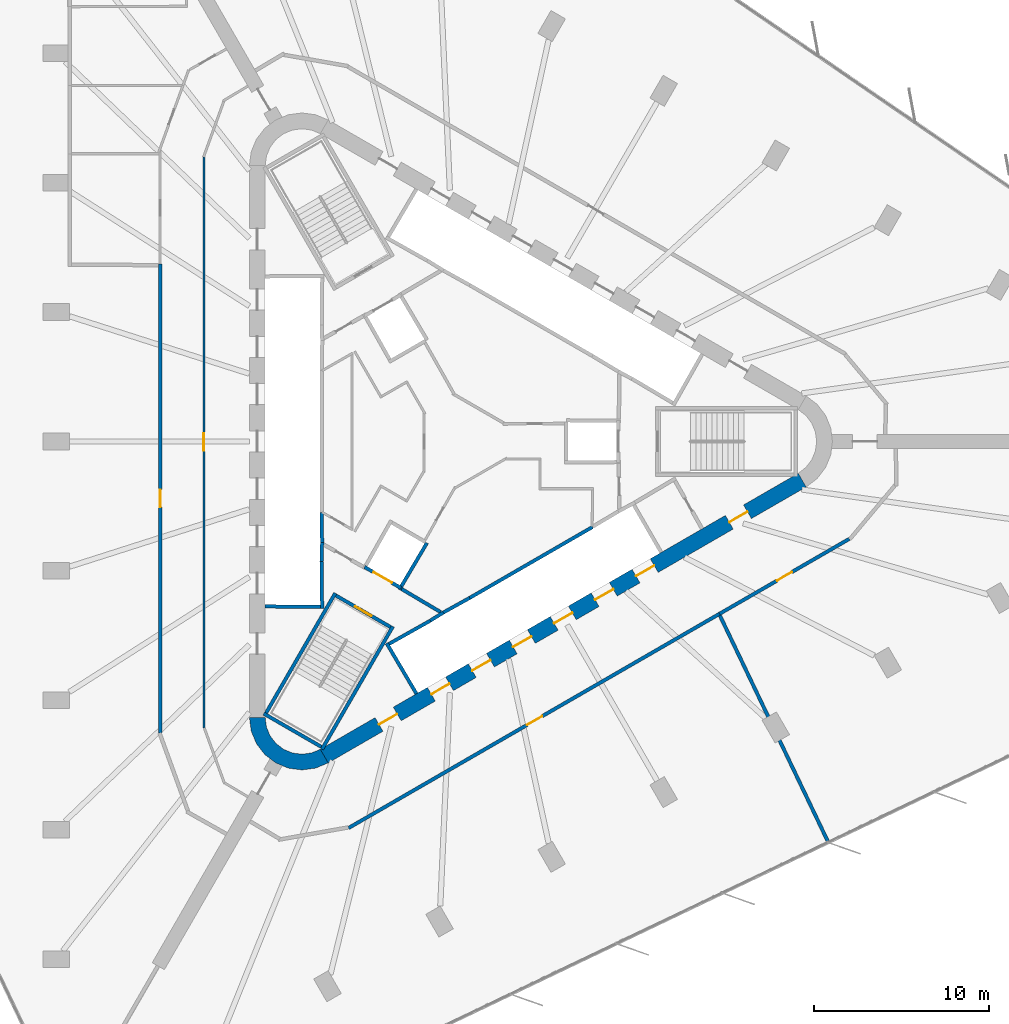
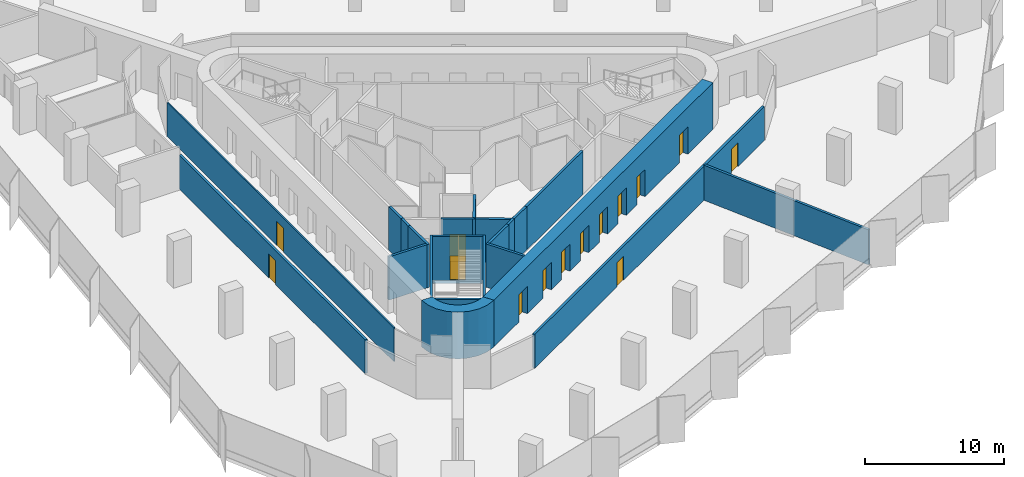
# One storey, part 9 of 14: 23 walls, 14 doors, 14 openings.
"""IFC4 building model written with IfcOpenShell, lengths in metres."""

from ifc_helpers import new_model, si_unit, direction, frame, frame_2d, origin, place, context, subcontext, project, spatial, polyline, rectangle, outline, extrude, material, layer, layer_set, type_object, element, fill, save


model = new_model("IFC4")

# Units and contexts
model_context = context("Model", 3, precision=1e-05, world=origin(), true_north=direction((0.0, 1.0)))
body_context = subcontext(model_context, "Body", "Model", "MODEL_VIEW")
ifc_project = project(units=[si_unit("LENGTHUNIT", "METRE"), si_unit("AREAUNIT", "SQUARE_METRE"), si_unit("VOLUMEUNIT", "CUBIC_METRE"), si_unit("PLANEANGLEUNIT", "RADIAN"), si_unit("MASSUNIT", "GRAM", prefix="KILO")], contexts=[model_context])

# Site, building, storey
site_placement = place(None, origin())
site = spatial("IfcSite", under=ifc_project, at=site_placement, CompositionType="ELEMENT")
building_placement = place(site_placement, origin())
building = spatial("IfcBuilding", under=site, at=building_placement, Name="Tanit Gate Tower", CompositionType="ELEMENT")
storey_placement = place(building_placement, frame((0.0, 0.0, 86.5)))
storey = spatial("IfcBuildingStorey", under=building, at=storey_placement, Name="L17", CompositionType="ELEMENT", Elevation=86.5)

# Wall, openings, doors
ifc_material_1 = material(Name="Concrete C60/75", Category="concrete")
ifc_layer_1 = layer(ifc_material_1, 0.89990234375)
ifc_layer_set_1 = layer_set([ifc_layer_1], Name="CORE WALL 900 C60/75")
wall_type_1 = type_object("IfcWallType", Name="CORE WALL 900 C60/75", PredefinedType="SHEAR", material=ifc_layer_set_1)
wall_1_placement = place(storey_placement, frame((-7.824951171875, -17.969970703125, 0.0), z_axis=(0.0, 0.0, 1.0), x_axis=(0.866028369851, 0.499994862586, 0.0)))
wall_1 = element("IfcWall", 1, at=wall_1_placement, inside=storey, type_object=wall_type_1, Name="CORE WALL", PredefinedType="SHEAR", context=body_context, shape_type="SweptSolid", body=[
    extrude(rectangle(XDim=31.523193359375, YDim=0.89990234375, at=frame_2d((15.76171875, 0.0))), origin(), (0.0, 0.0, 1.0), 4.10009765625),
])
opening_1_placement = place(wall_1_placement, frame((7.061767578125, 0.0, 0.0)))
opening_1 = element("IfcOpeningElement", 2, at=opening_1_placement, cuts=wall_1, Name="Opening LDSX1-S03", PredefinedType="OPENING", context=body_context, shape_type="SweptSolid", body=[
    extrude(rectangle(XDim=1.199951171875, YDim=2.39990234375, at=frame_2d((0.60009765625, 1.199951171875))), frame((0.0, 0.4599609375, 0.0), z_axis=(0.0, -1.0, 0.0), x_axis=(1.0, 0.0, 0.0)), (0.0, 0.0, 1.0), 0.919921875),
])
opening_2_placement = place(wall_1_placement, frame((9.76171875, 0.0, 0.0)))
opening_2 = element("IfcOpeningElement", 3, at=opening_2_placement, cuts=wall_1, Name="Opening LDSX2-S03", PredefinedType="OPENING", context=body_context, shape_type="SweptSolid", body=[
    extrude(rectangle(XDim=1.199951171875, YDim=2.39990234375, at=frame_2d((0.60009765625, 1.199951171875))), frame((0.0, 0.4599609375, 0.0), z_axis=(0.0, -1.0, 0.0), x_axis=(1.0, 0.0, 0.0)), (0.0, 0.0, 1.0), 0.919921875),
])
opening_3_placement = place(wall_1_placement, frame((12.461669921875, 0.0, 0.0)))
opening_3 = element("IfcOpeningElement", 4, at=opening_3_placement, cuts=wall_1, Name="Opening LDSX3-S03", PredefinedType="OPENING", context=body_context, shape_type="SweptSolid", body=[
    extrude(rectangle(XDim=1.199951171875, YDim=2.39990234375, at=frame_2d((0.60009765625, 1.199951171875))), frame((0.0, 0.4599609375, 0.0), z_axis=(0.0, -1.0, 0.0), x_axis=(1.0, 0.0, 0.0)), (0.0, 0.0, 1.0), 0.919921875),
])
opening_4_placement = place(wall_1_placement, frame((15.16162109375, 0.0, 0.0)))
opening_4 = element("IfcOpeningElement", 5, at=opening_4_placement, cuts=wall_1, Name="Opening LDSX4-S03", PredefinedType="OPENING", context=body_context, shape_type="SweptSolid", body=[
    extrude(rectangle(XDim=1.199951171875, YDim=2.39990234375, at=frame_2d((0.60009765625, 1.199951171875))), frame((0.0, 0.4599609375, 0.0), z_axis=(0.0, -1.0, 0.0), x_axis=(1.0, 0.0, 0.0)), (0.0, 0.0, 1.0), 0.919921875),
])
opening_5_placement = place(wall_1_placement, frame((17.861572265625, 0.0, 0.0)))
opening_5 = element("IfcOpeningElement", 6, at=opening_5_placement, cuts=wall_1, Name="Opening LDSV1-S03", PredefinedType="OPENING", context=body_context, shape_type="SweptSolid", body=[
    extrude(rectangle(XDim=1.199951171875, YDim=2.39990234375, at=frame_2d((0.60009765625, 1.199951171875))), frame((0.0, 0.4599609375, 0.0), z_axis=(0.0, -1.0, 0.0), x_axis=(1.0, 0.0, 0.0)), (0.0, 0.0, 1.0), 0.919921875),
])
opening_6_placement = place(wall_1_placement, frame((20.561767578125, 0.0, 0.0)))
opening_6 = element("IfcOpeningElement", 7, at=opening_6_placement, cuts=wall_1, Name="Opening LDSV2-S03", PredefinedType="OPENING", context=body_context, shape_type="SweptSolid", body=[
    extrude(rectangle(XDim=1.199951171875, YDim=2.39990234375, at=frame_2d((0.60009765625, 1.199951171875))), frame((0.0, 0.4599609375, 0.0), z_axis=(0.0, -1.0, 0.0), x_axis=(1.0, 0.0, 0.0)), (0.0, 0.0, 1.0), 0.919921875),
])
opening_7_placement = place(wall_1_placement, frame((26.711669921875, 0.0, 0.0)))
opening_7 = element("IfcOpeningElement", 8, at=opening_7_placement, cuts=wall_1, Name="Opening F12-S03-S1", PredefinedType="OPENING", context=body_context, shape_type="SweptSolid", body=[
    extrude(rectangle(XDim=1.199951171875, YDim=2.39990234375, at=frame_2d((0.60009765625, 1.199951171875))), frame((0.0, 0.4599609375, 0.0), z_axis=(0.0, -1.0, 0.0), x_axis=(1.0, 0.0, 0.0)), (0.0, 0.0, 1.0), 0.919921875),
])
opening_8_placement = place(wall_1_placement, frame((3.611572265625, 0.0, 0.0)))
opening_8 = element("IfcOpeningElement", 9, at=opening_8_placement, cuts=wall_1, Name="Opening F12-S03-FL3", PredefinedType="OPENING", context=body_context, shape_type="SweptSolid", body=[
    extrude(rectangle(XDim=1.199951171875, YDim=2.39990234375, at=frame_2d((0.60009765625, 1.199951171875))), frame((0.0, 0.4599609375, 0.0), z_axis=(0.0, -1.0, 0.0), x_axis=(1.0, 0.0, 0.0)), (0.0, 0.0, 1.0), 0.919921875),
])
ifc_material_2 = material(Name="Fire-rated steel door leaf", Category="steel")
door_type_1 = type_object("IfcDoorType", Name="INT-DOOR-FIRE-LOBBY-1200", OperationType="NOTDEFINED", PredefinedType="USERDEFINED", material=ifc_material_2)
door_1_placement = place(opening_7_placement, origin())
door_1 = element("IfcDoor", 10, at=door_1_placement, inside=storey, type_object=door_type_1, Name="Door F12-S03-S1", ObjectType="FIRE DOOR", OperationType="SINGLE_SWING_LEFT", OverallHeight=2.39990234375, OverallWidth=1.199951171875, PredefinedType="USERDEFINED", context=body_context, shape_type="SweptSolid", body=[
    extrude(rectangle(XDim=1.199951171875, YDim=2.39990234375, at=frame_2d((0.60009765625, 1.199951171875))), frame((0.0, 0.02490234375, 0.0), z_axis=(0.0, -1.0, 0.0), x_axis=(1.0, 0.0, 0.0)), (0.0, 0.0, 1.0), 0.050048828125),
])
fill(opening_7, door_1)
door_2_placement = place(opening_8_placement, origin())
door_2 = element("IfcDoor", 11, at=door_2_placement, inside=storey, type_object=door_type_1, Name="Door F12-S03-FL3", ObjectType="FIRE DOOR", OperationType="SINGLE_SWING_RIGHT", OverallHeight=2.39990234375, OverallWidth=1.199951171875, PredefinedType="USERDEFINED", context=body_context, shape_type="SweptSolid", body=[
    extrude(rectangle(XDim=1.199951171875, YDim=2.39990234375, at=frame_2d((0.60009765625, 1.199951171875))), frame((0.0, 0.02490234375, 0.0), z_axis=(0.0, -1.0, 0.0), x_axis=(1.0, 0.0, 0.0)), (0.0, 0.0, 1.0), 0.050048828125),
])
fill(opening_8, door_2)
ifc_material_3 = material(Name="Stainless steel sliding door leaf", Category="steel")
door_type_2 = type_object("IfcDoorType", Name="INT-DOOR-LANDING-1200", OperationType="NOTDEFINED", PredefinedType="USERDEFINED", material=ifc_material_3)
door_3_placement = place(opening_1_placement, origin())
door_3 = element("IfcDoor", 12, at=door_3_placement, inside=storey, type_object=door_type_2, Name="Door LDSX1-S03", ObjectType="LANDING DOOR", OperationType="SLIDING_TO_LEFT", OverallHeight=2.39990234375, OverallWidth=1.199951171875, PredefinedType="USERDEFINED", context=body_context, shape_type="SweptSolid", body=[
    extrude(rectangle(XDim=1.199951171875, YDim=2.39990234375, at=frame_2d((0.60009765625, 1.199951171875))), frame((0.0, 0.02490234375, 0.0), z_axis=(0.0, -1.0, 0.0), x_axis=(1.0, 0.0, 0.0)), (0.0, 0.0, 1.0), 0.050048828125),
])
fill(opening_1, door_3)
door_4_placement = place(opening_2_placement, origin())
door_4 = element("IfcDoor", 13, at=door_4_placement, inside=storey, type_object=door_type_2, Name="Door LDSX2-S03", ObjectType="LANDING DOOR", OperationType="SLIDING_TO_LEFT", OverallHeight=2.39990234375, OverallWidth=1.199951171875, PredefinedType="USERDEFINED", context=body_context, shape_type="SweptSolid", body=[
    extrude(rectangle(XDim=1.199951171875, YDim=2.39990234375, at=frame_2d((0.60009765625, 1.199951171875))), frame((0.0, 0.02490234375, 0.0), z_axis=(0.0, -1.0, 0.0), x_axis=(1.0, 0.0, 0.0)), (0.0, 0.0, 1.0), 0.050048828125),
])
fill(opening_2, door_4)
door_5_placement = place(opening_3_placement, origin())
door_5 = element("IfcDoor", 14, at=door_5_placement, inside=storey, type_object=door_type_2, Name="Door LDSX3-S03", ObjectType="LANDING DOOR", OperationType="SLIDING_TO_LEFT", OverallHeight=2.39990234375, OverallWidth=1.199951171875, PredefinedType="USERDEFINED", context=body_context, shape_type="SweptSolid", body=[
    extrude(rectangle(XDim=1.199951171875, YDim=2.39990234375, at=frame_2d((0.60009765625, 1.199951171875))), frame((0.0, 0.02490234375, 0.0), z_axis=(0.0, -1.0, 0.0), x_axis=(1.0, 0.0, 0.0)), (0.0, 0.0, 1.0), 0.050048828125),
])
fill(opening_3, door_5)
door_6_placement = place(opening_4_placement, origin())
door_6 = element("IfcDoor", 15, at=door_6_placement, inside=storey, type_object=door_type_2, Name="Door LDSX4-S03", ObjectType="LANDING DOOR", OperationType="SLIDING_TO_LEFT", OverallHeight=2.39990234375, OverallWidth=1.199951171875, PredefinedType="USERDEFINED", context=body_context, shape_type="SweptSolid", body=[
    extrude(rectangle(XDim=1.199951171875, YDim=2.39990234375, at=frame_2d((0.60009765625, 1.199951171875))), frame((0.0, 0.02490234375, 0.0), z_axis=(0.0, -1.0, 0.0), x_axis=(1.0, 0.0, 0.0)), (0.0, 0.0, 1.0), 0.050048828125),
])
fill(opening_4, door_6)
door_7_placement = place(opening_5_placement, origin())
door_7 = element("IfcDoor", 16, at=door_7_placement, inside=storey, type_object=door_type_2, Name="Door LDSV1-S03", ObjectType="LANDING DOOR", OperationType="SLIDING_TO_LEFT", OverallHeight=2.39990234375, OverallWidth=1.199951171875, PredefinedType="USERDEFINED", context=body_context, shape_type="SweptSolid", body=[
    extrude(rectangle(XDim=1.199951171875, YDim=2.39990234375, at=frame_2d((0.60009765625, 1.199951171875))), frame((0.0, 0.02490234375, 0.0), z_axis=(0.0, -1.0, 0.0), x_axis=(1.0, 0.0, 0.0)), (0.0, 0.0, 1.0), 0.050048828125),
])
fill(opening_5, door_7)
door_8_placement = place(opening_6_placement, origin())
door_8 = element("IfcDoor", 17, at=door_8_placement, inside=storey, type_object=door_type_2, Name="Door LDSV2-S03", ObjectType="LANDING DOOR", OperationType="SLIDING_TO_LEFT", OverallHeight=2.39990234375, OverallWidth=1.199951171875, PredefinedType="USERDEFINED", context=body_context, shape_type="SweptSolid", body=[
    extrude(rectangle(XDim=1.199951171875, YDim=2.39990234375, at=frame_2d((0.60009765625, 1.199951171875))), frame((0.0, 0.02490234375, 0.0), z_axis=(0.0, -1.0, 0.0), x_axis=(1.0, 0.0, 0.0)), (0.0, 0.0, 1.0), 0.050048828125),
])
fill(opening_6, door_8)

# Walls
wall_2_placement = place(storey_placement, origin())
element("IfcWall", 18, at=wall_2_placement, inside=storey, type_object=wall_type_1, Name="CORE WALL CORNER", PredefinedType="SHEAR", context=body_context, shape_type="SweptSolid", body=[
    extrude(outline(polyline([(-12.10009765625, -15.76171875), (-11.997802734375, -16.5380859375), (-11.697998046875, -17.26171875), (-11.22119140625, -17.883056640625), (-10.60009765625, -18.359619140625), (-9.87646484375, -18.659423828125), (-9.10009765625, -18.76171875), (-8.323486328125, -18.659423828125), (-7.60009765625, -18.359619140625), (-8.050048828125, -17.580322265625), (-8.556396484375, -17.7900390625), (-9.10009765625, -17.86181640625), (-9.6435546875, -17.7900390625), (-10.14990234375, -17.580322265625), (-10.5849609375, -17.24658203125), (-10.918701171875, -16.811767578125), (-11.12841796875, -16.30517578125), (-11.199951171875, -15.76171875), (-12.10009765625, -15.76171875)])), origin(), (0.0, 0.0, 1.0), 4.10009765625),
])
ifc_material_4 = material(Name="Fire-rated gypsum board partition")
ifc_layer_2 = layer(ifc_material_4, 0.199951171875)
ifc_layer_set_2 = layer_set([ifc_layer_2], Name="INT-WALL-COMPARTMENT")
wall_type_2 = type_object("IfcWallType", Name="INT-WALL-COMPARTMENT", PredefinedType="PARTITIONING", material=ifc_layer_set_2)
wall_3_placement = place(storey_placement, frame((-3.400634765625, -8.43017578125, 0.0), z_axis=(0.0, 0.0, 1.0), x_axis=(0.860615607571, -0.509255118781, 0.0)))
element("IfcWall", 19, at=wall_3_placement, inside=storey, type_object=wall_type_2, Name="Wall Compartment W063", PredefinedType="PARTITIONING", context=body_context, shape_type="SweptSolid", body=[
    extrude(rectangle(XDim=2.58056640625, YDim=0.199951171875, at=frame_2d((1.290283203125, 0.0))), origin(), (0.0, 0.0, 1.0), 3.800048828125),
])

# Wall, opening, door
wall_4_placement = place(storey_placement, frame((-17.199951171875, 10.1298828125, 0.0), z_axis=(0.0, 0.0, 1.0), x_axis=(0.0, -1.0, 0.0)))
wall_4 = element("IfcWall", 20, at=wall_4_placement, inside=storey, type_object=wall_type_2, Name="Wall Compartment W091", PredefinedType="PARTITIONING", context=body_context, shape_type="SweptSolid", body=[
    extrude(rectangle(XDim=26.770263671875, YDim=0.199951171875, at=frame_2d((13.38525390625, 0.0))), origin(), (0.0, 0.0, 1.0), 2.97998046875),
])
opening_9_placement = place(wall_4_placement, frame((12.885009765625, 0.0, 0.0)))
opening_9 = element("IfcOpeningElement", 21, at=opening_9_placement, cuts=wall_4, Name="Opening F10-S03-20", PredefinedType="OPENING", context=body_context, shape_type="SweptSolid", body=[
    extrude(rectangle(XDim=1.0, YDim=2.10009765625, at=frame_2d((0.5, 1.050048828125))), frame((0.0, 0.10986328125, 0.0), z_axis=(0.0, -1.0, 0.0), x_axis=(1.0, 0.0, 0.0)), (0.0, 0.0, 1.0), 0.219970703125),
])
ifc_material_5 = material(Name="Fire-rated steel door leaf", Category="steel")
door_type_3 = type_object("IfcDoorType", Name="INT-DOOR-FIRE-1000", OperationType="NOTDEFINED", PredefinedType="USERDEFINED", material=ifc_material_5)
door_9_placement = place(opening_9_placement, origin())
door_9 = element("IfcDoor", 22, at=door_9_placement, inside=storey, type_object=door_type_3, Name="Door F10-S03-20", ObjectType="FIRE DOOR", OperationType="SINGLE_SWING_RIGHT", OverallHeight=2.10009765625, OverallWidth=1.0, PredefinedType="USERDEFINED", context=body_context, shape_type="SweptSolid", body=[
    extrude(rectangle(XDim=1.0, YDim=2.10009765625, at=frame_2d((0.5, 1.050048828125))), frame((0.0, 0.02490234375, 0.0), z_axis=(0.0, -1.0, 0.0), x_axis=(1.0, 0.0, 0.0)), (0.0, 0.0, 1.0), 0.050048828125),
])
fill(opening_9, door_9)

wall_5_placement = place(storey_placement, frame((-6.435546875, -22.075439453125, 0.0), z_axis=(0.0, 0.0, 1.0), x_axis=(0.866023723109, 0.500002911003, 0.0)))
wall_5 = element("IfcWall", 23, at=wall_5_placement, inside=storey, type_object=wall_type_2, Name="Wall Compartment W104", PredefinedType="PARTITIONING", context=body_context, shape_type="SweptSolid", body=[
    extrude(rectangle(XDim=24.464599609375, YDim=0.199951171875, at=frame_2d((12.232421875, 0.0))), origin(), (0.0, 0.0, 1.0), 2.97998046875),
])
opening_10_placement = place(wall_5_placement, frame((11.7705078125, 0.0, 0.0)))
opening_10 = element("IfcOpeningElement", 24, at=opening_10_placement, cuts=wall_5, Name="Opening F10-S03-23", PredefinedType="OPENING", context=body_context, shape_type="SweptSolid", body=[
    extrude(rectangle(XDim=1.0, YDim=2.10009765625, at=frame_2d((0.5, 1.050048828125))), frame((0.0, 0.10986328125, 0.0), z_axis=(0.0, -1.0, 0.0), x_axis=(1.0, 0.0, 0.0)), (0.0, 0.0, 1.0), 0.219970703125),
])
door_10_placement = place(opening_10_placement, origin())
door_10 = element("IfcDoor", 25, at=door_10_placement, inside=storey, type_object=door_type_3, Name="Door F10-S03-23", ObjectType="FIRE DOOR", OperationType="SINGLE_SWING_LEFT", OverallHeight=2.10009765625, OverallWidth=1.0, PredefinedType="USERDEFINED", context=body_context, shape_type="SweptSolid", body=[
    extrude(rectangle(XDim=1.0, YDim=2.10009765625, at=frame_2d((0.5, 1.050048828125))), frame((0.0, 0.02490234375, 0.0), z_axis=(0.0, -1.0, 0.0), x_axis=(1.0, 0.0, 0.0)), (0.0, 0.0, 1.0), 0.050048828125),
])
fill(opening_10, door_10)

wall_6_placement = place(storey_placement, frame((14.75146484375, -9.843017578125, 0.0), z_axis=(0.0, 0.0, 1.0), x_axis=(0.866018824381, 0.500011395688, 0.0)))
wall_6 = element("IfcWall", 26, at=wall_6_placement, inside=storey, type_object=wall_type_2, Name="Wall Compartment W103", PredefinedType="PARTITIONING", context=body_context, shape_type="SweptSolid", body=[
    extrude(rectangle(XDim=8.557373046875, YDim=0.199951171875, at=frame_2d((4.27880859375, 0.0))), origin(), (0.0, 0.0, 1.0), 2.97998046875),
])
opening_11_placement = place(wall_6_placement, frame((3.77880859375, 0.0, 0.0)))
opening_11 = element("IfcOpeningElement", 27, at=opening_11_placement, cuts=wall_6, Name="Opening F10-S03-22", PredefinedType="OPENING", context=body_context, shape_type="SweptSolid", body=[
    extrude(rectangle(XDim=1.0, YDim=2.10009765625, at=frame_2d((0.5, 1.050048828125))), frame((0.0, 0.10986328125, 0.0), z_axis=(0.0, -1.0, 0.0), x_axis=(1.0, 0.0, 0.0)), (0.0, 0.0, 1.0), 0.219970703125),
])
door_11_placement = place(opening_11_placement, origin())
door_11 = element("IfcDoor", 28, at=door_11_placement, inside=storey, type_object=door_type_3, Name="Door F10-S03-22", ObjectType="FIRE DOOR", OperationType="SINGLE_SWING_RIGHT", OverallHeight=2.10009765625, OverallWidth=1.0, PredefinedType="USERDEFINED", context=body_context, shape_type="SweptSolid", body=[
    extrude(rectangle(XDim=1.0, YDim=2.10009765625, at=frame_2d((0.5, 1.050048828125))), frame((0.0, 0.02490234375, 0.0), z_axis=(0.0, -1.0, 0.0), x_axis=(1.0, 0.0, 0.0)), (0.0, 0.0, 1.0), 0.050048828125),
])
fill(opening_11, door_11)

# Wall
wall_7_placement = place(storey_placement, frame((20.95654296875, -22.8818359375, 0.0), z_axis=(0.0, 0.0, 1.0), x_axis=(-0.431211460357, 0.902250894406, 0.0)))
element("IfcWall", 29, at=wall_7_placement, inside=storey, type_object=wall_type_2, Name="Wall Compartment W119", PredefinedType="PARTITIONING", context=body_context, shape_type="SweptSolid", body=[
    extrude(rectangle(XDim=14.337890625, YDim=0.199951171875, at=frame_2d((7.1689453125, 0.0))), origin(), (0.0, 0.0, 1.0), 3.080078125),
])

# Wall, opening, door
ifc_material_6 = material(Name="Gypsum board partition")
ifc_layer_3 = layer(ifc_material_6, 0.1201171875)
ifc_layer_set_3 = layer_set([ifc_layer_3], Name="INT-WALL-PARTITION")
wall_type_3 = type_object("IfcWallType", Name="INT-WALL-PARTITION", PredefinedType="PARTITIONING", material=ifc_layer_set_3)
wall_8_placement = place(storey_placement, frame((-14.699951171875, -16.359375, 0.0), z_axis=(0.0, 0.0, 1.0), x_axis=(0.0, 1.0, 0.0)))
wall_8 = element("IfcWall", 30, at=wall_8_placement, inside=storey, type_object=wall_type_3, Name="Wall Partition W086", PredefinedType="PARTITIONING", context=body_context, shape_type="SweptSolid", body=[
    extrude(rectangle(XDim=32.598876953125, YDim=0.1201171875, at=frame_2d((16.29931640625, 0.0))), origin(), (0.0, 0.0, 1.0), 2.97998046875),
])
opening_12_placement = place(wall_8_placement, frame((15.82958984375, 0.0, 0.0)))
opening_12 = element("IfcOpeningElement", 31, at=opening_12_placement, cuts=wall_8, Name="Opening D10-S03-15", PredefinedType="OPENING", context=body_context, shape_type="SweptSolid", body=[
    extrude(rectangle(XDim=1.0, YDim=2.10009765625, at=frame_2d((0.5, 1.050048828125))), frame((0.0, 0.070068359375, 0.0), z_axis=(0.0, -1.0, 0.0), x_axis=(1.0, 0.0, 0.0)), (0.0, 0.0, 1.0), 0.14013671875),
])
ifc_material_7 = material(Name="Timber door leaf", Category="wood")
door_type_4 = type_object("IfcDoorType", Name="INT-DOOR-SINGLE-1000", OperationType="NOTDEFINED", PredefinedType="NOTDEFINED", material=ifc_material_7)
door_12_placement = place(opening_12_placement, origin())
door_12 = element("IfcDoor", 32, at=door_12_placement, inside=storey, type_object=door_type_4, Name="Door D10-S03-15", OperationType="SINGLE_SWING_LEFT", OverallHeight=2.10009765625, OverallWidth=1.0, PredefinedType="NOTDEFINED", context=body_context, shape_type="SweptSolid", body=[
    extrude(rectangle(XDim=1.0, YDim=2.10009765625, at=frame_2d((0.5, 1.050048828125))), frame((0.0, 0.02490234375, 0.0), z_axis=(0.0, -1.0, 0.0), x_axis=(1.0, 0.0, 0.0)), (0.0, 0.0, 1.0), 0.050048828125),
])
fill(opening_12, door_12)

# Walls
ifc_material_8 = material(Name="Gypsum shaft wall system")
ifc_layer_4 = layer(ifc_material_8, 0.199951171875)
ifc_layer_set_4 = layer_set([ifc_layer_4], Name="INT-WALL-SHAFT")
wall_type_4 = type_object("IfcWallType", Name="INT-WALL-SHAFT", PredefinedType="PLUMBINGWALL", material=ifc_layer_set_4)
wall_9_placement = place(storey_placement, frame((-7.949951171875, -5.7724609375, 0.0), z_axis=(0.0, 0.0, 1.0), x_axis=(-0.030803413295, -0.999525462272, 0.0)))
element("IfcWall", 33, at=wall_9_placement, inside=storey, type_object=wall_type_4, Name="Wall Shaft W009", PredefinedType="PLUMBINGWALL", context=body_context, shape_type="SweptSolid", body=[
    extrude(rectangle(XDim=1.077880859375, YDim=0.199951171875, at=frame_2d((0.5390625, 0.0))), origin(), (0.0, 0.0, 1.0), 3.800048828125),
])
wall_10_placement = place(storey_placement, frame((-7.971435546875, -4.050048828125, 0.0), z_axis=(0.0, 0.0, 1.0), x_axis=(0.012042535896, -0.999927486035, 0.0)))
element("IfcWall", 34, at=wall_10_placement, inside=storey, type_object=wall_type_4, Name="Wall Shaft W010", PredefinedType="PLUMBINGWALL", context=body_context, shape_type="SweptSolid", body=[
    extrude(rectangle(XDim=1.844970703125, YDim=0.199951171875, at=frame_2d((0.92236328125, 0.0))), origin(), (0.0, 0.0, 1.0), 3.800048828125),
])
wall_11_placement = place(storey_placement, frame((-7.97900390625, -6.85009765625, 0.0), z_axis=(0.0, 0.0, 1.0), x_axis=(0.011121475088, -0.999938154483, 0.0)))
element("IfcWall", 35, at=wall_11_placement, inside=storey, type_object=wall_type_4, Name="Wall Shaft W011", PredefinedType="PLUMBINGWALL", context=body_context, shape_type="SweptSolid", body=[
    extrude(rectangle(XDim=2.7001953125, YDim=0.199951171875, at=frame_2d((1.35009765625, 0.0))), origin(), (0.0, 0.0, 1.0), 3.800048828125),
])
wall_12_placement = place(storey_placement, frame((-8.050048828125, -9.448974609375, 0.0), z_axis=(0.0, 0.0, 1.0), x_axis=(-0.999957467379, 0.009222983926, 0.0)))
element("IfcWall", 36, at=wall_12_placement, inside=storey, type_object=wall_type_4, Name="Wall Shaft W012", PredefinedType="PLUMBINGWALL", context=body_context, shape_type="SweptSolid", body=[
    extrude(rectangle(XDim=3.150146484375, YDim=0.199951171875, at=frame_2d((1.5751953125, 0.0))), origin(), (0.0, 0.0, 1.0), 3.800048828125),
])
wall_13_placement = place(storey_placement, frame((0.482666015625, -8.935791015625, 0.0), z_axis=(0.0, 0.0, 1.0), x_axis=(0.866030989016, 0.499990325971, 0.0)))
element("IfcWall", 37, at=wall_13_placement, inside=storey, type_object=wall_type_4, Name="Wall Shaft W031", PredefinedType="PLUMBINGWALL", context=body_context, shape_type="SweptSolid", body=[
    extrude(rectangle(XDim=8.099853515625, YDim=0.199951171875, at=frame_2d((4.0498046875, 0.0))), origin(), (0.0, 0.0, 1.0), 3.800048828125),
])
wall_14_placement = place(storey_placement, frame((-2.557861328125, -14.409423828125, 0.0), z_axis=(0.0, 0.0, 1.0), x_axis=(-0.507997497166, 0.861358544901, 0.0)))
element("IfcWall", 38, at=wall_14_placement, inside=storey, type_object=wall_type_4, Name="Wall Shaft W027", PredefinedType="PLUMBINGWALL", context=body_context, shape_type="SweptSolid", body=[
    extrude(rectangle(XDim=3.350341796875, YDim=0.199951171875, at=frame_2d((1.67529296875, 0.0))), origin(), (0.0, 0.0, 1.0), 3.800048828125),
])
wall_15_placement = place(storey_placement, frame((-1.7685546875, -10.23681640625, 0.0), z_axis=(0.0, 0.0, 1.0), x_axis=(-0.871534483978, -0.490334215854, 0.0)))
element("IfcWall", 39, at=wall_15_placement, inside=storey, type_object=wall_type_4, Name="Wall Shaft W028", PredefinedType="PLUMBINGWALL", context=body_context, shape_type="SweptSolid", body=[
    extrude(rectangle(XDim=2.7001953125, YDim=0.199951171875, at=frame_2d((1.35009765625, 0.0))), origin(), (0.0, 0.0, 1.0), 3.800048828125),
])
wall_16_placement = place(storey_placement, frame((-1.02392578125, -9.77099609375, 0.0), z_axis=(0.0, 0.0, 1.0), x_axis=(-0.850348075135, -0.526220629693, 0.0)))
element("IfcWall", 40, at=wall_16_placement, inside=storey, type_object=wall_type_4, Name="Wall Shaft W029", PredefinedType="PLUMBINGWALL", context=body_context, shape_type="SweptSolid", body=[
    extrude(rectangle(XDim=0.878173828125, YDim=0.199951171875, at=frame_2d((0.43896484375, 0.0))), origin(), (0.0, 0.0, 1.0), 3.800048828125),
])
wall_17_placement = place(storey_placement, frame((-1.130126953125, -9.831298828125, 0.0), z_axis=(0.0, 0.0, 1.0), x_axis=(0.874269620932, 0.485440655401, 0.0)))
element("IfcWall", 41, at=wall_17_placement, inside=storey, type_object=wall_type_4, Name="Wall Shaft W030", PredefinedType="PLUMBINGWALL", context=body_context, shape_type="SweptSolid", body=[
    extrude(rectangle(XDim=1.8447265625, YDim=0.199951171875, at=frame_2d((0.92236328125, 0.0))), origin(), (0.0, 0.0, 1.0), 3.800048828125),
])

# Wall, opening, door
wall_18_placement = place(storey_placement, frame((-3.44580078125, -8.3681640625, 0.0), z_axis=(0.0, 0.0, 1.0), x_axis=(-0.866024647952, 0.500001309137, 0.0)))
wall_18 = element("IfcWall", 42, at=wall_18_placement, inside=storey, type_object=wall_type_4, Name="Wall Shaft W053", PredefinedType="PLUMBINGWALL", context=body_context, shape_type="SweptSolid", body=[
    extrude(rectangle(XDim=2.39990234375, YDim=0.199951171875, at=frame_2d((1.199951171875, 0.0))), origin(), (0.0, 0.0, 1.0), 3.800048828125),
])
opening_13_placement = place(wall_18_placement, frame((0.60009765625, 0.0, 0.0)))
opening_13 = element("IfcOpeningElement", 43, at=opening_13_placement, cuts=wall_18, Name="Opening LDFL3-L17", PredefinedType="OPENING", context=body_context, shape_type="SweptSolid", body=[
    extrude(rectangle(XDim=1.199951171875, YDim=2.39990234375, at=frame_2d((0.60009765625, 1.199951171875))), frame((0.0, 0.10986328125, 0.0), z_axis=(0.0, -1.0, 0.0), x_axis=(1.0, 0.0, 0.0)), (0.0, 0.0, 1.0), 0.219970703125),
])
door_13_placement = place(opening_13_placement, origin())
door_13 = element("IfcDoor", 44, at=door_13_placement, inside=storey, type_object=door_type_2, Name="Door LDFL3-L17", ObjectType="LANDING DOOR", OperationType="SLIDING_TO_LEFT", OverallHeight=2.39990234375, OverallWidth=1.199951171875, PredefinedType="USERDEFINED", context=body_context, shape_type="SweptSolid", body=[
    extrude(rectangle(XDim=1.199951171875, YDim=2.39990234375, at=frame_2d((0.60009765625, 1.199951171875))), frame((0.0, 0.02490234375, 0.0), z_axis=(0.0, -1.0, 0.0), x_axis=(1.0, 0.0, 0.0)), (0.0, 0.0, 1.0), 0.050048828125),
])
fill(opening_13, door_13)

# Walls
wall_19_placement = place(storey_placement, frame((-1.960693359375, -5.796142578125, 0.0), z_axis=(0.0, 0.0, 1.0), x_axis=(-0.508647062354, -0.860975125052, 0.0)))
element("IfcWall", 45, at=wall_19_placement, inside=storey, type_object=wall_type_4, Name="Wall Shaft W054", PredefinedType="PLUMBINGWALL", context=body_context, shape_type="SweptSolid", body=[
    extrude(rectangle(XDim=3.10009765625, YDim=0.199951171875, at=frame_2d((1.550048828125, 0.0))), origin(), (0.0, 0.0, 1.0), 3.800048828125),
])
ifc_material_9 = material(Name="Concrete C40/50", Category="concrete")
ifc_layer_5 = layer(ifc_material_9, 0.199951171875)
ifc_layer_set_5 = layer_set([ifc_layer_5], Name="INT-WALL-STAIR")
wall_type_5 = type_object("IfcWallType", Name="INT-WALL-STAIR", PredefinedType="SHEAR", material=ifc_layer_set_5)
wall_20_placement = place(storey_placement, frame((-3.904541015625, -10.56298828125, -0.300048828125), z_axis=(0.0, 0.0, 1.0), x_axis=(-0.500012932018, -0.866017937352, 0.0)))
element("IfcWall", 46, at=wall_20_placement, inside=storey, type_object=wall_type_5, Name="Wall Stair W049", PredefinedType="SHEAR", context=body_context, shape_type="SweptSolid", body=[
    extrude(rectangle(XDim=8.099853515625, YDim=0.199951171875, at=frame_2d((4.0498046875, 0.0))), origin(), (0.0, 0.0, 1.0), 4.10009765625),
])
wall_21_placement = place(storey_placement, frame((-11.281982421875, -15.541015625, -0.300048828125), z_axis=(0.0, 0.0, 1.0), x_axis=(0.866000483506, -0.500043160704, 0.0)))
element("IfcWall", 47, at=wall_21_placement, inside=storey, type_object=wall_type_5, Name="Wall Stair W050", PredefinedType="SHEAR", context=body_context, shape_type="SweptSolid", body=[
    extrude(rectangle(XDim=3.800048828125, YDim=0.199951171875, at=frame_2d((1.89990234375, 0.0))), origin(), (0.0, 0.0, 1.0), 4.10009765625),
])
wall_22_placement = place(storey_placement, frame((-7.195556640625, -8.662841796875, -0.300048828125), z_axis=(0.0, 0.0, 1.0), x_axis=(-0.499997992926, -0.866026562566, 0.0)))
element("IfcWall", 48, at=wall_22_placement, inside=storey, type_object=wall_type_5, Name="Wall Stair W051", PredefinedType="SHEAR", context=body_context, shape_type="SweptSolid", body=[
    extrude(rectangle(XDim=7.89990234375, YDim=0.199951171875, at=frame_2d((3.949951171875, 0.0))), origin(), (0.0, 0.0, 1.0), 4.10009765625),
])

# Wall, opening, door
wall_23_placement = place(storey_placement, frame((-4.041259765625, -10.599365234375, -0.300048828125), z_axis=(0.0, 0.0, 1.0), x_axis=(-0.866047807691, 0.499961193289, 0.0)))
wall_23 = element("IfcWall", 49, at=wall_23_placement, inside=storey, type_object=wall_type_5, Name="Wall Stair W052", PredefinedType="SHEAR", context=body_context, shape_type="SweptSolid", body=[
    extrude(rectangle(XDim=3.599853515625, YDim=0.199951171875, at=frame_2d((1.7998046875, 0.0))), origin(), (0.0, 0.0, 1.0), 4.10009765625),
])
opening_14_placement = place(wall_23_placement, frame((1.25, 0.0, 0.300048828125)))
opening_14 = element("IfcOpeningElement", 50, at=opening_14_placement, cuts=wall_23, Name="Opening S11-S03-07", PredefinedType="OPENING", context=body_context, shape_type="SweptSolid", body=[
    extrude(rectangle(XDim=1.10009765625, YDim=2.10009765625, at=frame_2d((0.550048828125, 1.050048828125))), frame((0.0, 0.10986328125, 0.0), z_axis=(0.0, -1.0, 0.0), x_axis=(1.0, 0.0, 0.0)), (0.0, 0.0, 1.0), 0.219970703125),
])
ifc_material_10 = material(Name="Timber door leaf", Category="wood")
door_type_5 = type_object("IfcDoorType", Name="INT-DOOR-STAIR-1100", OperationType="NOTDEFINED", PredefinedType="USERDEFINED", material=ifc_material_10)
door_14_placement = place(opening_14_placement, origin())
door_14 = element("IfcDoor", 51, at=door_14_placement, inside=storey, type_object=door_type_5, Name="Door S11-S03-07", ObjectType="FIRE DOOR", OperationType="SINGLE_SWING_RIGHT", OverallHeight=2.10009765625, OverallWidth=1.10009765625, PredefinedType="USERDEFINED", context=body_context, shape_type="SweptSolid", body=[
    extrude(rectangle(XDim=1.10009765625, YDim=2.10009765625, at=frame_2d((0.550048828125, 1.050048828125))), frame((0.0, 0.02490234375, 0.0), z_axis=(0.0, -1.0, 0.0), x_axis=(1.0, 0.0, 0.0)), (0.0, 0.0, 1.0), 0.050048828125),
])
fill(opening_14, door_14)

save(model, "model.ifc")
